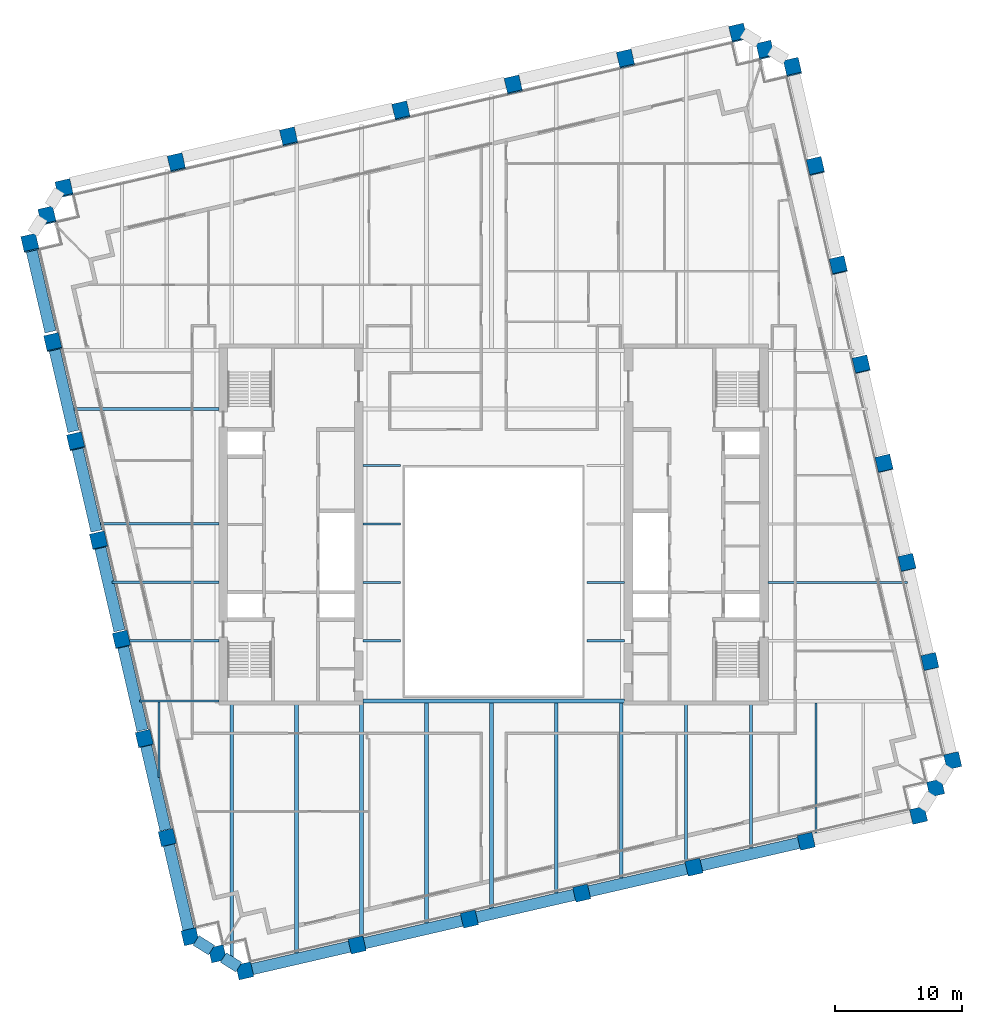
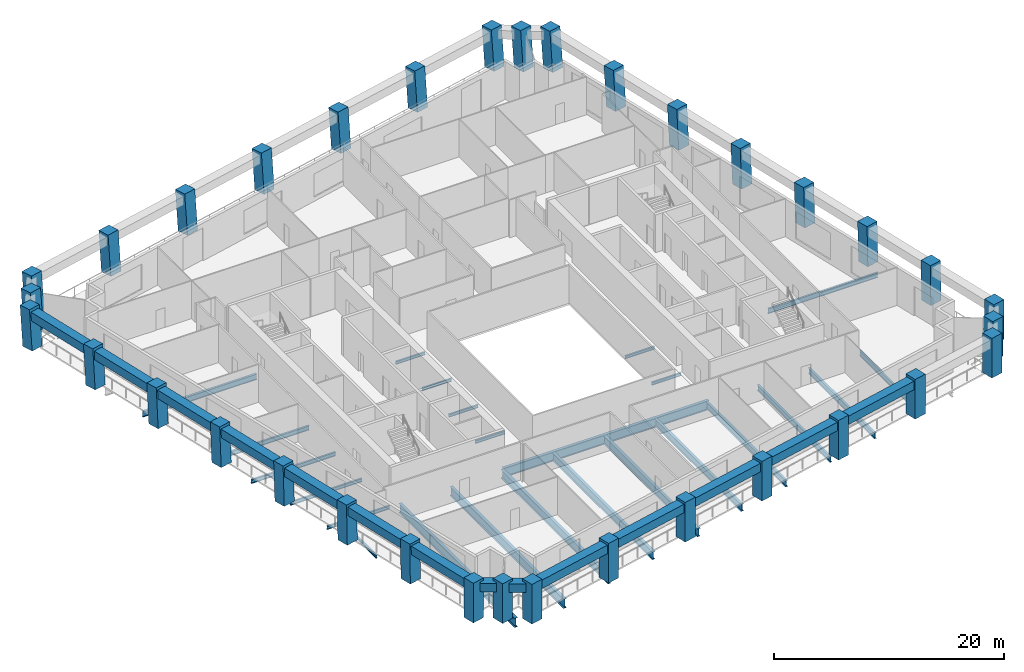
# One storey, part 1 of 11: 38 beams, 34 columns.
"""IFC4 building model written with IfcOpenShell, lengths in metres."""

from ifc_helpers import new_model, si_unit, direction, frame, origin, origin_2d, place, context, subcontext, project, spatial, rectangle, i_section, extrude, material, material_profile, profile_set, type_object, element, save


model = new_model("IFC4")

# Units and contexts
model_context = context("Model", 3, precision=1e-05, world=origin(), true_north=direction((0.0, 1.0)))
body_context = subcontext(model_context, "Body", "Model", "MODEL_VIEW")
ifc_project = project(units=[si_unit("LENGTHUNIT", "METRE"), si_unit("AREAUNIT", "SQUARE_METRE"), si_unit("VOLUMEUNIT", "CUBIC_METRE"), si_unit("PLANEANGLEUNIT", "RADIAN"), si_unit("MASSUNIT", "GRAM", prefix="KILO")], contexts=[model_context])

# Site, building, storey
site_placement = place(None, origin())
site = spatial("IfcSite", under=ifc_project, at=site_placement, CompositionType="ELEMENT")
building_placement = place(site_placement, origin())
building = spatial("IfcBuilding", under=site, at=building_placement, Name="Ogive Exchange Tower", CompositionType="ELEMENT")
storey_placement = place(building_placement, frame((0.0, 0.0, 184.199951171875)))
storey = spatial("IfcBuildingStorey", under=building, at=storey_placement, Name="L40", CompositionType="ELEMENT", Elevation=184.199951171875)

# Columns
ifc_material_1 = material(Name="Precast concrete C70/85 (limestone faced)", Category="masonry")
ifc_material_profile_1 = material_profile(ifc_material_1, rectangle(XDim=1.199951171875, YDim=1.199951171875, at=origin_2d()), Name="1200 x 1200")
ifc_profile_set_1 = profile_set([ifc_material_profile_1], Name="Precast concrete C70/85 (limestone faced)")
column_type = type_object("IfcColumnType", Name="Precast exoskeleton leg 1200 x 1200 C70/85", PredefinedType="COLUMN", material=ifc_profile_set_1)
for number, where, z_axis, x_axis, name in (
    (1, (-19.6494140625, -23.749267578125, 0.0), (0.0, 0.0, 1.0), (0.974370064785, 0.224951054344, 0.0), "Exoskeleton leg 1"),
    (2, (-10.782470703125, -21.7021484375, 0.0), (0.0, 0.0, 1.0), (0.974370064785, 0.224951054344, 0.0), "Exoskeleton leg 2"),
    (3, (-1.915771484375, -19.655029296875, 0.0), (0.0, 0.0, 1.0), (0.974370064785, 0.224951054344, 0.0), "Exoskeleton leg 3"),
    (4, (6.950927734375, -17.60791015625, 0.0), (0.0, 0.0, 1.0), (0.974370064785, 0.224951054344, 0.0), "Exoskeleton leg 4"),
    (5, (15.81787109375, -15.56103515625, 0.0), (0.0, 0.0, 1.0), (0.974370064785, 0.224951054344, 0.0), "Exoskeleton leg 5"),
    (6, (24.6845703125, -13.513916015625, 0.0), (0.0, 0.0, 1.0), (0.974370064785, 0.224951054344, 0.0), "Exoskeleton leg 6"),
    (7, (33.55126953125, -11.466796875, 0.0), (0.0, 0.0, 1.0), (0.974370064785, 0.224951054344, 0.0), "Exoskeleton leg 7"),
    (8, (36.249267578125, -7.1494140625, 0.0), (0.0, 0.0, 1.0), (0.974370064785, 0.224951054344, 0.0), "Exoskeleton leg 8"),
):
    element("IfcColumn", number, at=place(storey_placement, frame(where, z_axis=z_axis, x_axis=x_axis)), inside=storey, type_object=column_type, Name=name, PredefinedType="COLUMN", context=body_context, shape_type="SweptSolid", body=[
        extrude(rectangle(XDim=1.199951171875, YDim=1.199951171875, at=origin_2d()), origin(), (0.0, 0.0, 1.0), 4.199951171875),
    ])
column_1_placement = place(storey_placement, frame((34.4443359375, 0.668212890625, 0.0), z_axis=(-0.00267375834, 0.011741286623, 0.999927493974), x_axis=(-0.975037935076, -0.222038341651, 0.0)))
element("IfcColumn", 9, at=column_1_placement, inside=storey, type_object=column_type, Name="Exoskeleton leg 9", PredefinedType="COLUMN", context=body_context, shape_type="SweptSolid", body=[
    extrude(rectangle(XDim=1.199951171875, YDim=1.199951171875, at=origin_2d()), origin(), (0.0, 0.0, 1.0), 4.2001953125),
])
column_2_placement = place(storey_placement, frame((32.639404296875, 8.486083984375, 0.0), z_axis=(-0.005404479485, 0.023361298418, 0.999712479335), x_axis=(-0.974268511785, -0.225390476607, 0.0)))
element("IfcColumn", 10, at=column_2_placement, inside=storey, type_object=column_type, Name="Exoskeleton leg 10", PredefinedType="COLUMN", context=body_context, shape_type="SweptSolid", body=[
    extrude(rectangle(XDim=1.199951171875, YDim=1.199951171875, at=origin_2d()), origin(), (0.0, 0.0, 1.0), 4.201171875),
])
column_3_placement = place(storey_placement, frame((30.834716796875, 16.3037109375, 0.0), z_axis=(-0.008132851642, 0.035029353857, 0.999353191366), x_axis=(-0.974090845759, -0.226157078617, 0.0)))
element("IfcColumn", 11, at=column_3_placement, inside=storey, type_object=column_type, Name="Exoskeleton leg 11", PredefinedType="COLUMN", context=body_context, shape_type="SweptSolid", body=[
    extrude(rectangle(XDim=1.199951171875, YDim=1.199951171875, at=origin_2d()), origin(), (0.0, 0.0, 1.0), 4.20263671875),
])
column_4_placement = place(storey_placement, frame((29.02978515625, 24.121337890625, 0.0), z_axis=(-0.010799619665, 0.046740289408, 0.998848694028), x_axis=(-0.974329962248, -0.225124686929, 0.0)))
element("IfcColumn", 12, at=column_4_placement, inside=storey, type_object=column_type, Name="Exoskeleton leg 12", PredefinedType="COLUMN", context=body_context, shape_type="SweptSolid", body=[
    extrude(rectangle(XDim=1.199951171875, YDim=1.199951171875, at=origin_2d()), origin(), (0.0, 0.0, 1.0), 4.204833984375),
])
column_5_placement = place(storey_placement, frame((27.22509765625, 31.93896484375, 0.0), z_axis=(-0.013519814281, 0.05837310372, 0.998203283597), x_axis=(-0.974211350104, -0.225637420054, 0.0)))
element("IfcColumn", 13, at=column_5_placement, inside=storey, type_object=column_type, Name="Exoskeleton leg 13", PredefinedType="COLUMN", context=body_context, shape_type="SweptSolid", body=[
    extrude(rectangle(XDim=1.199951171875, YDim=1.199951171875, at=origin_2d()), origin(), (0.0, 0.0, 1.0), 4.20751953125),
])
column_6_placement = place(storey_placement, frame((25.420166015625, 39.756591796875, 0.0), z_axis=(-0.016176147103, 0.070038658424, 0.997413113304), x_axis=(-0.97435039746, -0.225036225904, 0.0)))
element("IfcColumn", 14, at=column_6_placement, inside=storey, type_object=column_type, Name="Exoskeleton leg 14", PredefinedType="COLUMN", context=body_context, shape_type="SweptSolid", body=[
    extrude(rectangle(XDim=1.199951171875, YDim=1.199951171875, at=origin_2d()), origin(), (0.0, 0.0, 1.0), 4.2109375),
])
for number, where, z_axis, x_axis, name in (
    (15, (23.615234375, 47.57421875, 0.0), (-0.018825666958, 0.081616506903, 0.99648599592), (-0.974414501624, -0.224758490439, 0.0), "Exoskeleton leg 15"),
    (16, (19.297607421875, 50.272216796875, 0.0), (-0.018825666958, 0.081616506903, 0.99648599592), (-0.974414501624, -0.224758490439, 0.0), "Exoskeleton leg 16"),
    (17, (10.430908203125, 48.22509765625, 0.0), (-0.018825666958, 0.081616506903, 0.99648599592), (-0.974414501624, -0.224758490439, 0.0), "Exoskeleton leg 17"),
    (18, (1.564208984375, 46.177978515625, 0.0), (-0.018825666958, 0.081616506903, 0.99648599592), (-0.974414501624, -0.224758490439, 0.0), "Exoskeleton leg 18"),
    (19, (-7.302490234375, 44.131103515625, 0.0), (-0.018883660707, 0.081558878144, 0.996489616983), (-0.974227676113, -0.225566919327, 0.0), "Exoskeleton leg 19"),
    (20, (-16.16943359375, 42.083984375, 0.0), (-0.018825755928, 0.08155896722, 0.996490705315), (-0.974379530941, -0.22491004798, 0.0), "Exoskeleton leg 20"),
    (21, (-25.0361328125, 40.036865234375, 0.0), (-0.018825666958, 0.081616506903, 0.99648599592), (-0.974414501624, -0.224758490439, 0.0), "Exoskeleton leg 21"),
    (22, (-33.90283203125, 37.98974609375, 0.0), (-0.018883571463, 0.081616417765, 0.996484907603), (-0.974262845894, -0.225414966474, 0.0), "Exoskeleton leg 22"),
    (23, (-36.600830078125, 33.67236328125, 0.0), (-0.018825755928, 0.08155896722, 0.996490705315), (-0.974379530941, -0.22491004798, 0.0), "Exoskeleton leg 23"),
):
    element("IfcColumn", number, at=place(storey_placement, frame(where, z_axis=z_axis, x_axis=x_axis)), inside=storey, type_object=column_type, Name=name, PredefinedType="COLUMN", context=body_context, shape_type="SweptSolid", body=[
        extrude(rectangle(XDim=1.199951171875, YDim=1.199951171875, at=origin_2d()), origin(), (0.0, 0.0, 1.0), 4.21484375),
    ])
column_7_placement = place(storey_placement, frame((-34.7958984375, 25.8544921875, 0.0), z_axis=(-0.016176147103, 0.070038658424, 0.997413113304), x_axis=(-0.97435039746, -0.225036225904, 0.0)))
element("IfcColumn", 24, at=column_7_placement, inside=storey, type_object=column_type, Name="Exoskeleton leg 24", PredefinedType="COLUMN", context=body_context, shape_type="SweptSolid", body=[
    extrude(rectangle(XDim=1.199951171875, YDim=1.199951171875, at=origin_2d()), origin(), (0.0, 0.0, 1.0), 4.2109375),
])
column_8_placement = place(storey_placement, frame((-32.9912109375, 18.037109375, 0.0), z_axis=(-0.013461799865, 0.058373149415, 0.998204064995), x_axis=(-0.974423835271, -0.224718021653, 0.0)))
element("IfcColumn", 25, at=column_8_placement, inside=storey, type_object=column_type, Name="Exoskeleton leg 25", PredefinedType="COLUMN", context=body_context, shape_type="SweptSolid", body=[
    extrude(rectangle(XDim=1.199951171875, YDim=1.199951171875, at=origin_2d()), origin(), (0.0, 0.0, 1.0), 4.20751953125),
])
column_9_placement = place(storey_placement, frame((-31.186279296875, 10.21923828125, 0.0), z_axis=(-0.010799619665, 0.046740289408, 0.998848694028), x_axis=(-0.974329962248, -0.225124686929, 0.0)))
element("IfcColumn", 26, at=column_9_placement, inside=storey, type_object=column_type, Name="Exoskeleton leg 26", PredefinedType="COLUMN", context=body_context, shape_type="SweptSolid", body=[
    extrude(rectangle(XDim=1.199951171875, YDim=1.199951171875, at=origin_2d()), origin(), (0.0, 0.0, 1.0), 4.204833984375),
])
column_10_placement = place(storey_placement, frame((-29.38134765625, 2.401611328125, 0.0), z_axis=(-0.0080747472, 0.035087390713, 0.999351626541), x_axis=(-0.974526982896, -0.224270282488, 0.0)))
element("IfcColumn", 27, at=column_10_placement, inside=storey, type_object=column_type, Name="Exoskeleton leg 27", PredefinedType="COLUMN", context=body_context, shape_type="SweptSolid", body=[
    extrude(rectangle(XDim=1.199951171875, YDim=1.199951171875, at=origin_2d()), origin(), (0.0, 0.0, 1.0), 4.20263671875),
])
column_11_placement = place(storey_placement, frame((-27.57666015625, -5.416015625, 0.0), z_axis=(-0.005404472139, 0.023419379268, 0.999711120452), x_axis=(-0.974391195695, -0.224859506699, 0.0)))
element("IfcColumn", 28, at=column_11_placement, inside=storey, type_object=column_type, Name="Exoskeleton leg 28", PredefinedType="COLUMN", context=body_context, shape_type="SweptSolid", body=[
    extrude(rectangle(XDim=1.199951171875, YDim=1.199951171875, at=origin_2d()), origin(), (0.0, 0.0, 1.0), 4.201171875),
])
column_12_placement = place(storey_placement, frame((-25.771728515625, -13.233642578125, 0.0), z_axis=(-0.002731884952, 0.01168316756, 0.999928017609), x_axis=(-0.973733900744, -0.227689021567, 0.0)))
element("IfcColumn", 29, at=column_12_placement, inside=storey, type_object=column_type, Name="Exoskeleton leg 29", PredefinedType="COLUMN", context=body_context, shape_type="SweptSolid", body=[
    extrude(rectangle(XDim=1.199951171875, YDim=1.199951171875, at=origin_2d()), origin(), (0.0, 0.0, 1.0), 4.2001953125),
])
for number, where, z_axis, x_axis, name in (
    (30, (-23.966796875, -21.05126953125, 0.0), (0.0, 0.0, 1.0), (0.974370064785, 0.224951054344, 0.0), "Exoskeleton leg 30"),
    (31, (34.900146484375, -9.30810546875, 0.0), (0.0, 0.0, 1.0), (0.974370064785, 0.224951054344, 0.0), "Exoskeleton leg 31"),
):
    element("IfcColumn", number, at=place(storey_placement, frame(where, z_axis=z_axis, x_axis=x_axis)), inside=storey, type_object=column_type, Name=name, PredefinedType="COLUMN", context=body_context, shape_type="SweptSolid", body=[
        extrude(rectangle(XDim=1.199951171875, YDim=1.199951171875, at=origin_2d()), origin(), (0.0, 0.0, 1.0), 4.199951171875),
    ])
for number, where, z_axis, x_axis, name in (
    (32, (21.45654296875, 48.923095703125, 0.0), (-0.018825666958, 0.081616506903, 0.99648599592), (-0.974414501624, -0.224758490439, 0.0), "Exoskeleton leg 32"),
    (33, (-35.251708984375, 35.8310546875, 0.0), (-0.018883571463, 0.081616417765, 0.996484907603), (-0.974262845894, -0.225414966474, 0.0), "Exoskeleton leg 33"),
):
    element("IfcColumn", number, at=place(storey_placement, frame(where, z_axis=z_axis, x_axis=x_axis)), inside=storey, type_object=column_type, Name=name, PredefinedType="COLUMN", context=body_context, shape_type="SweptSolid", body=[
        extrude(rectangle(XDim=1.199951171875, YDim=1.199951171875, at=origin_2d()), origin(), (0.0, 0.0, 1.0), 4.21484375),
    ])
column_13_placement = place(storey_placement, frame((-21.80810546875, -22.400146484375, 0.0), z_axis=(0.0, 0.0, 1.0), x_axis=(0.974370064785, 0.224951054344, 0.0)))
element("IfcColumn", 34, at=column_13_placement, inside=storey, type_object=column_type, Name="Exoskeleton leg 34", PredefinedType="COLUMN", context=body_context, shape_type="SweptSolid", body=[
    extrude(rectangle(XDim=1.199951171875, YDim=1.199951171875, at=origin_2d()), origin(), (0.0, 0.0, 1.0), 4.199951171875),
])

# Beams
ifc_material_2 = material(Name="Steel ASTM A992 Gr50", Category="steel")
ifc_material_profile_2 = material_profile(ifc_material_2, i_section(OverallWidth=0.300048828125, OverallDepth=0.969970703125, WebThickness=0.01611328125, FlangeThickness=0.02099609375, at=origin_2d()), Name="W1000x222")
ifc_profile_set_2 = profile_set([ifc_material_profile_2], Name="Steel ASTM A992 Gr50")
beam_type_1 = type_object("IfcBeamType", Name="Floor beam W1000x222", PredefinedType="JOIST", material=ifc_profile_set_2)
beam_1_placement = place(storey_placement, frame((-20.681640625, -22.723388671875, -0.68505859375), z_axis=(0.0, 1.0, 0.0), x_axis=(-1.0, 0.0, 0.0)))
element("IfcBeam", 35, at=beam_1_placement, inside=storey, type_object=beam_type_1, Name="Floor beam", PredefinedType="JOIST", context=body_context, shape_type="SweptSolid", body=[
    extrude(i_section(OverallWidth=0.300048828125, OverallDepth=0.969970703125, WebThickness=0.01611328125, FlangeThickness=0.02099609375, at=origin_2d()), origin(), (0.0, 0.0, 1.0), 20.123291015625),
])
beam_2_placement = place(storey_placement, frame((-15.55517578125, -22.34228515625, -0.68505859375), z_axis=(0.0, 1.0, 0.0), x_axis=(-1.0, 0.0, 0.0)))
element("IfcBeam", 36, at=beam_2_placement, inside=storey, type_object=beam_type_1, Name="Floor beam", PredefinedType="JOIST", context=body_context, shape_type="SweptSolid", body=[
    extrude(i_section(OverallWidth=0.300048828125, OverallDepth=0.969970703125, WebThickness=0.01611328125, FlangeThickness=0.02099609375, at=origin_2d()), origin(), (0.0, 0.0, 1.0), 19.7421875),
])
ifc_material_profile_3 = material_profile(ifc_material_2, i_section(OverallWidth=0.1650390625, OverallDepth=0.31005859375, WebThickness=0.005859375, FlangeThickness=0.009765625, at=origin_2d()), Name="W310x38.7")
ifc_profile_set_3 = profile_set([ifc_material_profile_3], Name="Steel ASTM A992 Gr50")
beam_type_2 = type_object("IfcBeamType", Name="Floor beam W310x38.7", PredefinedType="JOIST", material=ifc_profile_set_3)
for number, where, z_axis, x_axis, name in (
    (37, (-10.320068359375, 2.3212890625, -0.35498046875), (1.0, 0.0, 0.0), (0.0, 1.0, 0.0), "Floor beam"),
    (38, (7.3701171875, 2.3212890625, -0.35498046875), (1.0, 0.0, 0.0), (0.0, 1.0, 0.0), "Floor beam"),
    (39, (-10.320068359375, 6.9326171875, -0.35498046875), (1.0, 0.0, 0.0), (0.0, 1.0, 0.0), "Floor beam"),
    (40, (7.3701171875, 6.9326171875, -0.35498046875), (1.0, 0.0, 0.0), (0.0, 1.0, 0.0), "Floor beam"),
    (41, (-10.320068359375, 11.543701171875, -0.35498046875), (1.0, 0.0, 0.0), (0.0, 1.0, 0.0), "Floor beam"),
):
    element("IfcBeam", number, at=place(storey_placement, frame(where, z_axis=z_axis, x_axis=x_axis)), inside=storey, type_object=beam_type_2, Name=name, PredefinedType="JOIST", context=body_context, shape_type="SweptSolid", body=[
        extrude(i_section(OverallWidth=0.1650390625, OverallDepth=0.31005859375, WebThickness=0.005859375, FlangeThickness=0.009765625, at=origin_2d()), origin(), (0.0, 0.0, 1.0), 2.949951171875),
    ])
beam_3_placement = place(storey_placement, frame((-26.408203125, -8.476318359375, -0.35498046875), z_axis=(0.0, 1.0, 0.0), x_axis=(-1.0, 0.0, 0.0)))
element("IfcBeam", 42, at=beam_3_placement, inside=storey, type_object=beam_type_2, Name="Floor beam", PredefinedType="JOIST", context=body_context, shape_type="SweptSolid", body=[
    extrude(i_section(OverallWidth=0.1650390625, OverallDepth=0.31005859375, WebThickness=0.005859375, FlangeThickness=0.009765625, at=origin_2d()), origin(), (0.0, 0.0, 1.0), 5.94580078125),
])
ifc_material_profile_4 = material_profile(ifc_material_2, i_section(OverallWidth=0.1708984375, OverallDepth=0.35595703125, WebThickness=0.00732421875, FlangeThickness=0.01171875, at=origin_2d()), Name="W360x51")
ifc_profile_set_4 = profile_set([ifc_material_profile_4], Name="Steel ASTM A992 Gr50")
beam_type_3 = type_object("IfcBeamType", Name="Floor beam W360x51", PredefinedType="JOIST", material=ifc_profile_set_4)
beam_4_placement = place(storey_placement, frame((-28.90087890625, 2.3212890625, -0.3779296875), z_axis=(1.0, 0.0, 0.0), x_axis=(0.0, 1.0, 0.0)))
element("IfcBeam", 43, at=beam_4_placement, inside=storey, type_object=beam_type_3, Name="Floor beam", PredefinedType="JOIST", context=body_context, shape_type="SweptSolid", body=[
    extrude(i_section(OverallWidth=0.1708984375, OverallDepth=0.35595703125, WebThickness=0.00732421875, FlangeThickness=0.01171875, at=origin_2d()), origin(), (0.0, 0.0, 1.0), 7.220947265625),
])
ifc_material_profile_5 = material_profile(ifc_material_2, i_section(OverallWidth=0.177978515625, OverallDepth=0.406005859375, WebThickness=0.0078125, FlangeThickness=0.0126953125, at=origin_2d()), Name="W410x60")
ifc_profile_set_5 = profile_set([ifc_material_profile_5], Name="Steel ASTM A992 Gr50")
beam_type_4 = type_object("IfcBeamType", Name="Floor beam W410x60", PredefinedType="JOIST", material=ifc_profile_set_5)
beam_5_placement = place(storey_placement, frame((-30.115478515625, 6.9326171875, -0.40283203125), z_axis=(1.0, 0.0, 0.0), x_axis=(0.0, 1.0, 0.0)))
element("IfcBeam", 44, at=beam_5_placement, inside=storey, type_object=beam_type_4, Name="Floor beam", PredefinedType="JOIST", context=body_context, shape_type="SweptSolid", body=[
    extrude(i_section(OverallWidth=0.177978515625, OverallDepth=0.406005859375, WebThickness=0.0078125, FlangeThickness=0.0126953125, at=origin_2d()), origin(), (0.0, 0.0, 1.0), 8.435546875),
])
ifc_material_profile_6 = material_profile(ifc_material_2, i_section(OverallWidth=0.19091796875, OverallDepth=0.45703125, WebThickness=0.009033203125, FlangeThickness=0.014404296875, at=origin_2d()), Name="W460x74")
ifc_profile_set_6 = profile_set([ifc_material_profile_6], Name="Steel ASTM A992 Gr50")
beam_type_5 = type_object("IfcBeamType", Name="Floor beam W460x74", PredefinedType="JOIST", material=ifc_profile_set_6)
beam_6_placement = place(storey_placement, frame((-31.0302734375, 11.543701171875, -0.428466796875), z_axis=(1.0, 0.0, 0.0), x_axis=(0.0, 1.0, 0.0)))
element("IfcBeam", 45, at=beam_6_placement, inside=storey, type_object=beam_type_5, Name="Floor beam", PredefinedType="JOIST", context=body_context, shape_type="SweptSolid", body=[
    extrude(i_section(OverallWidth=0.19091796875, OverallDepth=0.45703125, WebThickness=0.009033203125, FlangeThickness=0.014404296875, at=origin_2d()), origin(), (0.0, 0.0, 1.0), 9.350341796875),
])
ifc_material_profile_7 = material_profile(ifc_material_2, i_section(OverallWidth=0.1669921875, OverallDepth=0.535888671875, WebThickness=0.01025390625, FlangeThickness=0.0166015625, at=origin_2d()), Name="W530x85")
ifc_profile_set_7 = profile_set([ifc_material_profile_7], Name="Steel ASTM A992 Gr50")
beam_type_6 = type_object("IfcBeamType", Name="Floor beam W530x85", PredefinedType="JOIST", material=ifc_profile_set_7)
beam_7_placement = place(storey_placement, frame((21.679931640625, 6.9326171875, -0.468017578125), z_axis=(1.0, 0.0, 0.0), x_axis=(0.0, 1.0, 0.0)))
element("IfcBeam", 46, at=beam_7_placement, inside=storey, type_object=beam_type_6, Name="Floor beam", PredefinedType="JOIST", context=body_context, shape_type="SweptSolid", body=[
    extrude(i_section(OverallWidth=0.1669921875, OverallDepth=0.535888671875, WebThickness=0.01025390625, FlangeThickness=0.0166015625, at=origin_2d()), origin(), (0.0, 0.0, 1.0), 11.00634765625),
])
beam_8_placement = place(storey_placement, frame((25.45654296875, -12.873779296875, -0.468017578125), z_axis=(0.0, 1.0, 0.0), x_axis=(-1.0, 0.0, 0.0)))
element("IfcBeam", 47, at=beam_8_placement, inside=storey, type_object=beam_type_6, Name="Floor beam", PredefinedType="JOIST", context=body_context, shape_type="SweptSolid", body=[
    extrude(i_section(OverallWidth=0.1669921875, OverallDepth=0.535888671875, WebThickness=0.01025390625, FlangeThickness=0.0166015625, at=origin_2d()), origin(), (0.0, 0.0, 1.0), 10.295166015625),
])
ifc_material_profile_8 = material_profile(ifc_material_2, i_section(OverallWidth=0.22802734375, OverallDepth=0.60205078125, WebThickness=0.010498046875, FlangeThickness=0.014892578125, at=origin_2d()), Name="W610x101")
ifc_profile_set_8 = profile_set([ifc_material_profile_8], Name="Steel ASTM A992 Gr50")
beam_type_7 = type_object("IfcBeamType", Name="Floor beam W610x101", PredefinedType="JOIST", material=ifc_profile_set_8)
beam_9_placement = place(storey_placement, frame((-33.126220703125, 20.62255859375, -0.5009765625), z_axis=(1.0, 0.0, 0.0), x_axis=(0.0, 1.0, 0.0)))
element("IfcBeam", 48, at=beam_9_placement, inside=storey, type_object=beam_type_7, Name="Floor beam", PredefinedType="JOIST", context=body_context, shape_type="SweptSolid", body=[
    extrude(i_section(OverallWidth=0.22802734375, OverallDepth=0.60205078125, WebThickness=0.010498046875, FlangeThickness=0.014892578125, at=origin_2d()), origin(), (0.0, 0.0, 1.0), 11.4462890625),
])
beam_10_placement = place(storey_placement, frame((15.20361328125, -15.240966796875, -0.5009765625), z_axis=(0.0, 1.0, 0.0), x_axis=(-1.0, 0.0, 0.0)))
element("IfcBeam", 49, at=beam_10_placement, inside=storey, type_object=beam_type_7, Name="Floor beam", PredefinedType="JOIST", context=body_context, shape_type="SweptSolid", body=[
    extrude(i_section(OverallWidth=0.22802734375, OverallDepth=0.60205078125, WebThickness=0.010498046875, FlangeThickness=0.014892578125, at=origin_2d()), origin(), (0.0, 0.0, 1.0), 12.640869140625),
])
beam_11_placement = place(storey_placement, frame((20.330078125, -14.057373046875, -0.5009765625), z_axis=(0.0, 1.0, 0.0), x_axis=(-1.0, 0.0, 0.0)))
element("IfcBeam", 50, at=beam_11_placement, inside=storey, type_object=beam_type_7, Name="Floor beam", PredefinedType="JOIST", context=body_context, shape_type="SweptSolid", body=[
    extrude(i_section(OverallWidth=0.22802734375, OverallDepth=0.60205078125, WebThickness=0.010498046875, FlangeThickness=0.014892578125, at=origin_2d()), origin(), (0.0, 0.0, 1.0), 11.457275390625),
])
ifc_material_profile_9 = material_profile(ifc_material_2, i_section(OverallWidth=0.25390625, OverallDepth=0.677978515625, WebThickness=0.01171875, FlangeThickness=0.016357421875, at=origin_2d()), Name="W690x125")
ifc_profile_set_9 = profile_set([ifc_material_profile_9], Name="Steel ASTM A992 Gr50")
beam_type_8 = type_object("IfcBeamType", Name="Floor beam W690x125", PredefinedType="JOIST", material=ifc_profile_set_9)
beam_12_placement = place(storey_placement, frame((10.0771484375, -16.424560546875, -0.5390625), z_axis=(0.0, 1.0, 0.0), x_axis=(-1.0, 0.0, 0.0)))
element("IfcBeam", 51, at=beam_12_placement, inside=storey, type_object=beam_type_8, Name="Floor beam", PredefinedType="JOIST", context=body_context, shape_type="SweptSolid", body=[
    extrude(i_section(OverallWidth=0.25390625, OverallDepth=0.677978515625, WebThickness=0.01171875, FlangeThickness=0.016357421875, at=origin_2d()), origin(), (0.0, 0.0, 1.0), 13.82958984375),
])
ifc_material_profile_10 = material_profile(ifc_material_2, i_section(OverallWidth=0.26708984375, OverallDepth=0.75390625, WebThickness=0.01318359375, FlangeThickness=0.01708984375, at=origin_2d()), Name="W760x147")
ifc_profile_set_10 = profile_set([ifc_material_profile_10], Name="Steel ASTM A992 Gr50")
beam_type_9 = type_object("IfcBeamType", Name="Floor beam W760x147", PredefinedType="JOIST", material=ifc_profile_set_10)
beam_13_placement = place(storey_placement, frame((4.95068359375, -17.60791015625, -0.576904296875), z_axis=(0.0, 1.0, 0.0), x_axis=(-1.0, 0.0, 0.0)))
element("IfcBeam", 52, at=beam_13_placement, inside=storey, type_object=beam_type_9, Name="Floor beam", PredefinedType="JOIST", context=body_context, shape_type="SweptSolid", body=[
    extrude(i_section(OverallWidth=0.26708984375, OverallDepth=0.75390625, WebThickness=0.01318359375, FlangeThickness=0.01708984375, at=origin_2d()), origin(), (0.0, 0.0, 1.0), 15.012939453125),
])
ifc_material_profile_11 = material_profile(ifc_material_2, i_section(OverallWidth=0.2919921875, OverallDepth=0.8359375, WebThickness=0.013916015625, FlangeThickness=0.018798828125, at=origin_2d()), Name="W840x176")
ifc_profile_set_11 = profile_set([ifc_material_profile_11], Name="Steel ASTM A992 Gr50")
beam_type_10 = type_object("IfcBeamType", Name="Floor beam W840x176", PredefinedType="JOIST", material=ifc_profile_set_11)
beam_14_placement = place(storey_placement, frame((-5.30224609375, -19.97509765625, -0.617919921875), z_axis=(0.0, 1.0, 0.0), x_axis=(-1.0, 0.0, 0.0)))
element("IfcBeam", 53, at=beam_14_placement, inside=storey, type_object=beam_type_10, Name="Floor beam", PredefinedType="JOIST", context=body_context, shape_type="SweptSolid", body=[
    extrude(i_section(OverallWidth=0.2919921875, OverallDepth=0.8359375, WebThickness=0.013916015625, FlangeThickness=0.018798828125, at=origin_2d()), origin(), (0.0, 0.0, 1.0), 17.380126953125),
])
beam_15_placement = place(storey_placement, frame((-0.17578125, -18.94140625, -0.617919921875), z_axis=(0.0, 1.0, 0.0), x_axis=(-1.0, 0.0, 0.0)))
element("IfcBeam", 54, at=beam_15_placement, inside=storey, type_object=beam_type_10, Name="Floor beam", PredefinedType="JOIST", context=body_context, shape_type="SweptSolid", body=[
    extrude(i_section(OverallWidth=0.2919921875, OverallDepth=0.8359375, WebThickness=0.013916015625, FlangeThickness=0.018798828125, at=origin_2d()), origin(), (0.0, 0.0, 1.0), 16.346435546875),
])
ifc_material_profile_12 = material_profile(ifc_material_2, i_section(OverallWidth=0.304931640625, OverallDepth=0.904052734375, WebThickness=0.01513671875, FlangeThickness=0.02001953125, at=origin_2d()), Name="W920x201")
ifc_profile_set_12 = profile_set([ifc_material_profile_12], Name="Steel ASTM A992 Gr50")
beam_type_11 = type_object("IfcBeamType", Name="Floor beam W920x201", PredefinedType="JOIST", material=ifc_profile_set_12)
beam_16_placement = place(storey_placement, frame((-10.4287109375, -21.15869140625, -0.65185546875), z_axis=(0.0, 1.0, 0.0), x_axis=(-1.0, 0.0, 0.0)))
element("IfcBeam", 55, at=beam_16_placement, inside=storey, type_object=beam_type_11, Name="Floor beam", PredefinedType="JOIST", context=body_context, shape_type="SweptSolid", body=[
    extrude(i_section(OverallWidth=0.304931640625, OverallDepth=0.904052734375, WebThickness=0.01513671875, FlangeThickness=0.02001953125, at=origin_2d()), origin(), (0.0, 0.0, 1.0), 18.55859375),
])
ifc_material_profile_13 = material_profile(ifc_material_2, i_section(OverallWidth=0.300048828125, OverallDepth=0.97998046875, WebThickness=0.0166015625, FlangeThickness=0.026123046875, at=origin_2d()), Name="W1000x249")
ifc_profile_set_13 = profile_set([ifc_material_profile_13], Name="Steel ASTM A992 Gr50")
beam_type_12 = type_object("IfcBeamType", Name="Girder W1000x249", PredefinedType="BEAM", material=ifc_profile_set_13)
beam_17_placement = place(storey_placement, frame((-10.320068359375, -2.445068359375, -0.68994140625), z_axis=(1.0, 0.0, 0.0), x_axis=(0.0, 1.0, 0.0)))
element("IfcBeam", 56, at=beam_17_placement, inside=storey, type_object=beam_type_12, Name="Header girder", PredefinedType="BEAM", context=body_context, shape_type="SweptSolid", body=[
    extrude(i_section(OverallWidth=0.300048828125, OverallDepth=0.97998046875, WebThickness=0.0166015625, FlangeThickness=0.026123046875, at=origin_2d()), origin(), (0.0, 0.0, 1.0), 20.64013671875),
])
ifc_material_profile_14 = material_profile(ifc_material_2, i_section(OverallWidth=0.1650390625, OverallDepth=0.31005859375, WebThickness=0.005859375, FlangeThickness=0.009765625, at=origin_2d()), Name="W310x38.7")
ifc_profile_set_14 = profile_set([ifc_material_profile_14], Name="Steel ASTM A992 Gr50")
beam_type_13 = type_object("IfcBeamType", Name="Girder W310x38.7", PredefinedType="BEAM", material=ifc_profile_set_14)
beam_18_placement = place(storey_placement, frame((-10.320068359375, 16.155029296875, -0.35498046875), z_axis=(1.0, 0.0, 0.0), x_axis=(0.0, 1.0, 0.0)))
element("IfcBeam", 57, at=beam_18_placement, inside=storey, type_object=beam_type_13, Name="Trimmer girder", PredefinedType="BEAM", context=body_context, shape_type="SweptSolid", body=[
    extrude(i_section(OverallWidth=0.1650390625, OverallDepth=0.31005859375, WebThickness=0.005859375, FlangeThickness=0.009765625, at=origin_2d()), origin(), (0.0, 0.0, 1.0), 2.949951171875),
])
ifc_material_profile_15 = material_profile(ifc_material_2, i_section(OverallWidth=0.1708984375, OverallDepth=0.35595703125, WebThickness=0.00732421875, FlangeThickness=0.01171875, at=origin_2d()), Name="W360x51")
ifc_profile_set_15 = profile_set([ifc_material_profile_15], Name="Steel ASTM A992 Gr50")
beam_type_14 = type_object("IfcBeamType", Name="Girder W360x51", PredefinedType="BEAM", material=ifc_profile_set_15)
beam_19_placement = place(storey_placement, frame((-27.95068359375, -2.445068359375, -0.3779296875), z_axis=(1.0, 0.0, 0.0), x_axis=(0.0, 1.0, 0.0)))
element("IfcBeam", 58, at=beam_19_placement, inside=storey, type_object=beam_type_14, Name="Header girder", PredefinedType="BEAM", context=body_context, shape_type="SweptSolid", body=[
    extrude(i_section(OverallWidth=0.1708984375, OverallDepth=0.35595703125, WebThickness=0.00732421875, FlangeThickness=0.01171875, at=origin_2d()), origin(), (0.0, 0.0, 1.0), 6.270751953125),
])
ifc_material_profile_16 = material_profile(ifc_material_1, rectangle(XDim=0.89990234375, YDim=0.89990234375, at=origin_2d()), Name="900 x 900")
ifc_profile_set_16 = profile_set([ifc_material_profile_16], Name="Precast concrete C70/85 (limestone faced)")
beam_type_15 = type_object("IfcBeamType", Name="Precast spandrel 900 x 900 C70/85", PredefinedType="SPANDREL", material=ifc_profile_set_16)
beam_20_placement = place(storey_placement, frame((-19.084228515625, -23.61865234375, 3.5), z_axis=(0.974369944206, 0.224951576629, 0.0), x_axis=(-0.224951576629, 0.974369944206, 0.0)))
element("IfcBeam", 59, at=beam_20_placement, inside=storey, type_object=beam_type_15, Name="Spandrel 1", PredefinedType="SPANDREL", context=body_context, shape_type="SweptSolid", body=[
    extrude(rectangle(XDim=0.89990234375, YDim=0.89990234375, at=origin_2d()), origin(), (0.0, 0.0, 1.0), 7.940185546875),
])
beam_21_placement = place(storey_placement, frame((-10.21728515625, -21.57177734375, 3.5), z_axis=(0.974368388194, 0.224958316335, 0.0), x_axis=(-0.224958316335, 0.974368388194, 0.0)))
element("IfcBeam", 60, at=beam_21_placement, inside=storey, type_object=beam_type_15, Name="Spandrel 2", PredefinedType="SPANDREL", context=body_context, shape_type="SweptSolid", body=[
    extrude(rectangle(XDim=0.89990234375, YDim=0.89990234375, at=origin_2d()), origin(), (0.0, 0.0, 1.0), 7.93994140625),
])
for number, where, z_axis, x_axis, name in (
    (61, (-1.3505859375, -19.524658203125, 3.5), (0.974369944206, 0.224951576629, 0.0), (-0.224951576629, 0.974369944206, 0.0), "Spandrel 3"),
    (62, (7.51611328125, -17.4775390625, 3.5), (0.974369944206, 0.224951576629, 0.0), (-0.224951576629, 0.974369944206, 0.0), "Spandrel 4"),
    (63, (16.3828125, -15.430419921875, 3.5), (0.974369944206, 0.224951576629, 0.0), (-0.224951576629, 0.974369944206, 0.0), "Spandrel 5"),
):
    element("IfcBeam", number, at=place(storey_placement, frame(where, z_axis=z_axis, x_axis=x_axis)), inside=storey, type_object=beam_type_15, Name=name, PredefinedType="SPANDREL", context=body_context, shape_type="SweptSolid", body=[
        extrude(rectangle(XDim=0.89990234375, YDim=0.89990234375, at=origin_2d()), origin(), (0.0, 0.0, 1.0), 7.940185546875),
    ])
beam_22_placement = place(storey_placement, frame((-36.5498046875, 33.450927734375, 3.5), z_axis=(0.224980720668, -0.974363215299, 0.0), x_axis=(0.974363215299, 0.224980720668, 0.0)))
element("IfcBeam", 64, at=beam_22_placement, inside=storey, type_object=beam_type_15, Name="Spandrel 26", PredefinedType="SPANDREL", context=body_context, shape_type="SweptSolid", body=[
    extrude(rectangle(XDim=0.89990234375, YDim=0.89990234375, at=origin_2d()), origin(), (0.0, 0.0, 1.0), 6.91357421875),
])
for number, where, z_axis, x_axis, name in (
    (65, (-34.7333984375, 25.584228515625, 3.5), (0.224939454613, -0.974372742721, 0.0), (0.974372742721, 0.224939454613, 0.0), "Spandrel 27"),
    (66, (-32.917236328125, 17.717529296875, 3.5), (0.224939454613, -0.974372742721, 0.0), (0.974372742721, 0.224939454613, 0.0), "Spandrel 28"),
):
    element("IfcBeam", number, at=place(storey_placement, frame(where, z_axis=z_axis, x_axis=x_axis)), inside=storey, type_object=beam_type_15, Name=name, PredefinedType="SPANDREL", context=body_context, shape_type="SweptSolid", body=[
        extrude(rectangle(XDim=0.89990234375, YDim=0.89990234375, at=origin_2d()), origin(), (0.0, 0.0, 1.0), 6.913818359375),
    ])
beam_23_placement = place(storey_placement, frame((-31.101318359375, 9.8505859375, 3.5), z_axis=(0.224980720668, -0.974363215299, 0.0), x_axis=(0.974363215299, 0.224980720668, 0.0)))
element("IfcBeam", 67, at=beam_23_placement, inside=storey, type_object=beam_type_15, Name="Spandrel 29", PredefinedType="SPANDREL", context=body_context, shape_type="SweptSolid", body=[
    extrude(rectangle(XDim=0.89990234375, YDim=0.89990234375, at=origin_2d()), origin(), (0.0, 0.0, 1.0), 6.91357421875),
])
for number, where, z_axis, x_axis, name in (
    (68, (-29.284912109375, 1.98388671875, 3.5), (0.224939454613, -0.974372742721, 0.0), (0.974372742721, 0.224939454613, 0.0), "Spandrel 30"),
    (69, (-27.46875, -5.8828125, 3.5), (0.224939454613, -0.974372742721, 0.0), (0.974372742721, 0.224939454613, 0.0), "Spandrel 31"),
    (70, (-25.652587890625, -13.74951171875, 3.5), (0.224939454613, -0.974372742721, 0.0), (0.974372742721, 0.224939454613, 0.0), "Spandrel 32"),
):
    element("IfcBeam", number, at=place(storey_placement, frame(where, z_axis=z_axis, x_axis=x_axis)), inside=storey, type_object=beam_type_15, Name=name, PredefinedType="SPANDREL", context=body_context, shape_type="SweptSolid", body=[
        extrude(rectangle(XDim=0.89990234375, YDim=0.89990234375, at=origin_2d()), origin(), (0.0, 0.0, 1.0), 6.913818359375),
    ])
for number, where, z_axis, x_axis, name in (
    (71, (-23.501708984375, -21.342041015625, 3.5), (0.848074041941, -0.529877740036, 0.0), (0.529877740036, 0.848074041941, 0.0), "Spandrel 33"),
    (72, (-21.343017578125, -22.69091796875, 3.5), (0.848074041941, -0.529877740036, 0.0), (0.529877740036, 0.848074041941, 0.0), "Spandrel 34"),
):
    element("IfcBeam", number, at=place(storey_placement, frame(where, z_axis=z_axis, x_axis=x_axis)), inside=storey, type_object=beam_type_15, Name=name, PredefinedType="SPANDREL", context=body_context, shape_type="SweptSolid", body=[
        extrude(rectangle(XDim=0.89990234375, YDim=0.89990234375, at=origin_2d()), origin(), (0.0, 0.0, 1.0), 1.448486328125),
    ])

save(model, "model.ifc")
